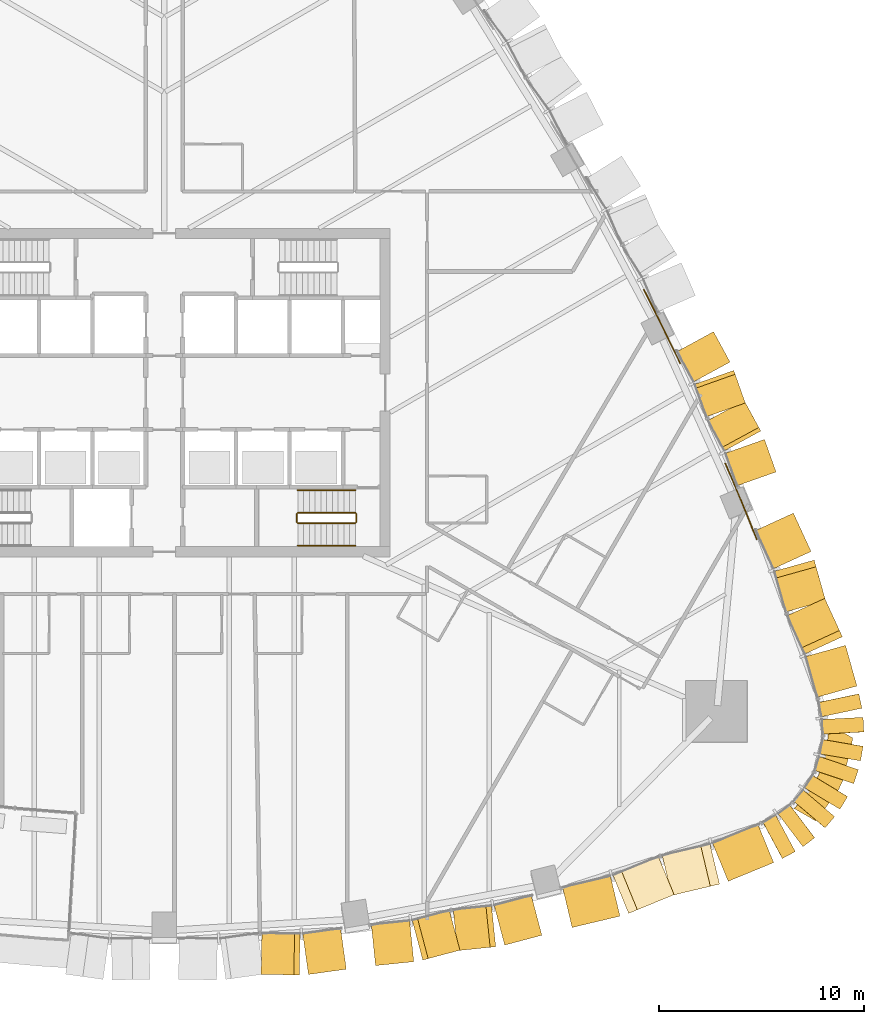
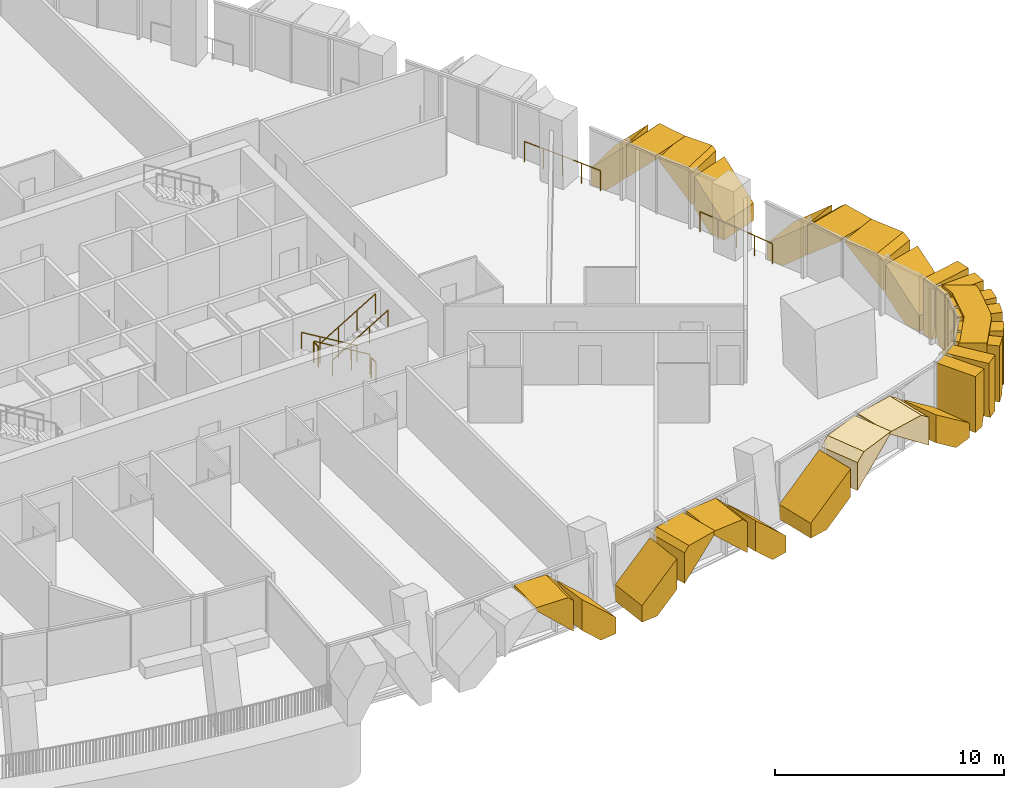
# One storey, part 21 of 24: 27 coverings, 8 railings.
"""IFC4 building model written with IfcOpenShell, lengths in metres."""

from ifc_helpers import new_model, si_unit, direction, frame, origin, origin_2d, place, context, subcontext, project, spatial, polyline, circle, outline, extrude, material, layer, layer_set, type_object, element, save


model = new_model("IFC4")

# Units and contexts
model_context = context("Model", 3, precision=1e-05, world=origin(), true_north=direction((0.0, 1.0)))
body_context = subcontext(model_context, "Body", "Model", "MODEL_VIEW")
ifc_project = project(units=[si_unit("LENGTHUNIT", "METRE"), si_unit("AREAUNIT", "SQUARE_METRE"), si_unit("VOLUMEUNIT", "CUBIC_METRE"), si_unit("PLANEANGLEUNIT", "RADIAN"), si_unit("MASSUNIT", "GRAM", prefix="KILO")], contexts=[model_context])

# Site, building, storey
site_placement = place(None, origin())
site = spatial("IfcSite", under=ifc_project, at=site_placement, CompositionType="ELEMENT")
building_placement = place(site_placement, origin())
building = spatial("IfcBuilding", under=site, at=building_placement, Name="Sierra Prisma Convention Tower", CompositionType="ELEMENT")
storey_placement = place(building_placement, frame((0.0, 0.0, 59.10009765625)))
storey = spatial("IfcBuildingStorey", under=building, at=storey_placement, Name="L10", CompositionType="ELEMENT", Elevation=59.10009765625)

# Coverings
ifc_material_1 = material(Name="Aluminium composite bronze anodised", Category="aluminium")
ifc_layer_1 = layer(ifc_material_1, 1.199951171875)
ifc_layer_set_1 = layer_set([ifc_layer_1], Name="Bronze corner pier")
covering_type_1 = type_object("IfcCoveringType", Name="Bronze corner pier", PredefinedType="CLADDING", material=ifc_layer_set_1)
covering_1_placement = place(storey_placement, frame((0.0, 0.0, -0.60009765625)))
element("IfcCovering", 1, at=covering_1_placement, inside=storey, type_object=covering_type_1, Name="Corner pier SE L10.1", PredefinedType="CLADDING", context=body_context, shape_type="SweptSolid", body=[
    extrude(outline(polyline([(33.015869140625, -18.91748046875), (32.826416015625, -19.3251953125), (31.724853515625, -20.856689453125), (30.647705078125, -20.23486328125), (30.733642578125, -20.1796875), (31.852294921875, -18.62451171875), (32.3203125, -16.7666015625), (32.228759765625, -16.06689453125), (33.4990234375, -16.80029296875), (33.48388671875, -17.059814453125), (33.015869140625, -18.91748046875)])), origin(), (0.0, 0.0, 1.0), 3.699951171875),
])
ifc_material_2 = material(Name="Aluminium 6063-T6 bronze anodised", Category="aluminium")
ifc_layer_2 = layer(ifc_material_2, 2.0)
ifc_layer_set_2 = layer_set([ifc_layer_2], Name="Bronze crystal chevron frame")
covering_type_2 = type_object("IfcCoveringType", Name="Bronze crystal chevron frame", PredefinedType="CLADDING", material=ifc_layer_set_2)
covering_2_placement = place(storey_placement, frame((4.714599609375, -28.314208984375, 2.97998046875), z_axis=(-0.018615403316, -0.999826716009, 6.8663595e-05), x_axis=(-1.278201e-06, -6.8651697e-05, -0.999999997643)))
element("IfcCovering", 2, at=covering_2_placement, inside=storey, type_object=covering_type_2, Name="CW-2 chevron frame S4.2.1", PredefinedType="CLADDING", context=body_context, shape_type="SweptSolid", body=[
    extrude(outline(polyline([(0.0, 0.0), (0.15600585900724043, 0.0), (1.8894042935973934, 1.8614068509224033), (0.24951171933818514, 1.8614068509224033), (-8.467103111326171e-09, 1.5935355536768872), (0.0, 0.0)])), origin(), (0.0, 0.0, -1.0), 2.0),
])
covering_3_placement = place(storey_placement, frame((8.86181640625, -28.0654296875, 0.0), z_axis=(0.13795883311, -0.990437962456, -5.3786876e-05), x_axis=(7.420375e-06, -5.3272564e-05, 0.999999998553)))
element("IfcCovering", 3, at=covering_3_placement, inside=storey, type_object=covering_type_2, Name="CW-2 chevron frame S4.2.2", PredefinedType="CLADDING", context=body_context, shape_type="SweptSolid", body=[
    extrude(outline(polyline([(0.0, 0.0), (0.8757324206082407, -7.417742143069276e-22), (2.6093749990302424, 1.8613109760656104), (0.96948242327737, 1.8613109760656104), (-7.2777737620158975e-09, 0.820325313389576), (0.0, 0.0)])), origin(), (0.0, 0.0, -1.0), 2.0),
])
covering_4_placement = place(storey_placement, frame((10.28369140625, -27.890625, 0.0), z_axis=(0.101779868866, -0.994806945129, 1.4687366e-05), x_axis=(0.994806945237, 0.101779868877, -6.57e-10)))
element("IfcCovering", 4, at=covering_4_placement, inside=storey, type_object=covering_type_2, Name="CW-2 chevron frame S5.1.1", PredefinedType="CLADDING", context=body_context, shape_type="SweptSolid", body=[
    extrude(outline(polyline([(0.0, 0.0), (0.8231184056027954, -2.117582368135751e-22), (1.8732547578046483, 0.9721679700862653), (1.873254756729693, 2.6074218761598877), (-5.739085474195773e-10, 0.8730468749058335), (0.0, 0.0)])), origin(), (0.0, 0.0, -1.0), 2.0),
])
covering_5_placement = place(storey_placement, frame((12.58349609375, -27.620361328125, 2.727783203125), z_axis=(0.256105882646, -0.966648732446, -7.0253947e-05), x_axis=(-1.7992449e-05, 6.7910889e-05, -0.999999997532)))
element("IfcCovering", 5, at=covering_5_placement, inside=storey, type_object=covering_type_2, Name="CW-2 chevron frame S5.1.2", PredefinedType="CLADDING", context=body_context, shape_type="SweptSolid", body=[
    extrude(outline(polyline([(0.0, 0.0), (1.6352539022145065, -5.540455742880179e-21), (-0.09887695412573975, 1.8732621403522665), (-0.2521972662473746, 1.8732621403522665), (-0.25219727507509215, 0.2722259552934718), (0.0, 0.0)])), origin(), (0.0, 0.0, -1.0), 2.0),
])
covering_6_placement = place(storey_placement, frame((14.27197265625, -27.1630859375, 2.97998046875), z_axis=(0.101796767166, -0.994805213776, 6.9556454e-05), x_axis=(7.080622e-06, -6.9195123e-05, -0.999999997581)))
element("IfcCovering", 6, at=covering_6_placement, inside=storey, type_object=covering_type_2, Name="CW-2 chevron frame S5.2.1", PredefinedType="CLADDING", context=body_context, shape_type="SweptSolid", body=[
    extrude(outline(polyline([(0.0, 0.0), (0.1533203121291105, 1.2986735617082534e-22), (1.887451168529317, 1.8732547584159986), (0.2521972662350778, 1.8732547584159986), (-8.653301420970635e-09, 1.6008580727030004), (0.0, 0.0)])), origin(), (0.0, 0.0, -1.0), 2.0),
])
covering_7_placement = place(storey_placement, frame((18.382568359375, -26.4130859375, 0.0), z_axis=(0.256080078996, -0.966655570531, -3.3211999e-05), x_axis=(8.504931e-06, -3.2104564e-05, 0.999999999448)))
element("IfcCovering", 7, at=covering_7_placement, inside=storey, type_object=covering_type_2, Name="CW-2 chevron frame S5.2.2", PredefinedType="CLADDING", context=body_context, shape_type="SweptSolid", body=[
    extrude(outline(polyline([(0.0, 0.0), (0.8730468745184986, 0.0), (2.607421874634296, 1.873262140157801), (0.9721679692861686, 1.873262140157801), (-2.766748291199207e-09, 0.8230780308576683), (0.0, 0.0)])), origin(), (0.0, 0.0, -1.0), 2.0),
])
covering_8_placement = place(storey_placement, frame((19.853759765625, -26.035888671875, 0.0), z_axis=(0.230882619265, -0.972981611388, -4.778907e-06), x_axis=(0.972981611399, 0.230882619268, -5.5e-11)))
element("IfcCovering", 8, at=covering_8_placement, inside=storey, type_object=covering_type_2, Name="CW-2 chevron frame S6.1.1", PredefinedType="CLADDING", context=body_context, shape_type="SweptSolid", body=[
    extrude(outline(polyline([(0.0, 0.0), (0.9537498114028494, 0.0), (2.394027295932912, 1.057617187642628), (2.394027295851713, 2.546630859500625), (-4.298920345357735e-11, 0.7883300781159981), (0.0, 0.0)])), origin(), (0.0, 0.0, -1.0), 2.0),
])
covering_9_placement = place(storey_placement, frame((22.605224609375, -25.34716796875, 2.64208984375), z_axis=(0.380239397749, -0.924888101334, -2.0243504e-05), x_axis=(-7.697378e-06, 1.8722976e-05, -0.999999999795)))
element("IfcCovering", 9, at=covering_9_placement, inside=storey, type_object=covering_type_2, Name="CW-2 chevron frame S6.1.2", PredefinedType="CLADDING", context=body_context, shape_type="SweptSolid", body=[
    extrude(outline(polyline([(0.0, 0.0), (1.4887695309449516, 0.0), (-0.2692871094582906, 2.3936566845010243), (-0.33789062506923373, 2.3936566845010243), (-0.3378906257074444, 0.45981603557091344), (0.0, 0.0)])), origin(), (0.0, 0.0, -1.0), 2.0),
])
covering_10_placement = place(storey_placement, frame((27.0302734375, -23.92236328125, 1.1533203125), z_axis=(0.230879774961, -0.972982286314, -5.753838e-06), x_axis=(1.328445e-06, -5.598382e-06, 0.999999999983)))
element("IfcCovering", 10, at=covering_10_placement, inside=storey, type_object=covering_type_2, Name="CW-2 chevron frame S6.2.1", PredefinedType="CLADDING", context=body_context, shape_type="SweptSolid", body=[
    extrude(outline(polyline([(0.0, 0.0), (1.488769531225356, 0.0), (1.8266601562825084, 0.4599387775763703), (1.826660156230949, 2.3940272959951314), (1.7580566406070848, 2.3940272959951314), (0.0, 0.0)])), origin(), (0.0, 0.0, -1.0), 2.0),
])
covering_11_placement = place(storey_placement, frame((29.666259765625, -22.876220703125, 0.0), z_axis=(0.380238429103, -0.924888499775, 4.096939e-06), x_axis=(-1.557814e-06, 3.789212e-06, 0.999999999992)))
element("IfcCovering", 11, at=covering_11_placement, inside=storey, type_object=covering_type_2, Name="CW-2 chevron frame S6.2.2", PredefinedType="CLADDING", context=body_context, shape_type="SweptSolid", body=[
    extrude(outline(polyline([(0.0, 0.0), (0.7883300781183841, 0.0), (2.54663085937138, 2.3936566845068756), (1.057617187508876, 2.3936566845068756), (-3.822500944575309e-11, 0.9534549141696544), (0.0, 0.0)])), origin(), (0.0, 0.0, -1.0), 2.0),
])
covering_12_placement = place(storey_placement, frame((30.084228515625, -22.678955078125, 0.0), z_axis=(0.472195184804, -0.881494019865, -1.9727734e-05), x_axis=(0.881494020037, 0.472195184896, -3.316e-09)))
element("IfcCovering", 12, at=covering_12_placement, inside=storey, type_object=covering_type_2, Name="CW-2 chevron frame SE1.1.1", PredefinedType="CLADDING", context=body_context, shape_type="SweptSolid", body=[
    extrude(outline(polyline([(0.0, 0.0), (0.555636432606804, 0.0), (0.7187080759959695, 0.7158203150800863), (0.7187080684883904, 2.9799804708894997), (0.0041503738541636545, 2.9799804683330717), (0.0, 0.0)])), origin(), (0.0, 0.0, -1.0), 2.0),
])
covering_13_placement = place(storey_placement, frame((31.091064453125, -22.10009765625, 2.97998046875), z_axis=(0.604388022667, -0.796690101611, 7.231588e-06), x_axis=(4.370685e-06, -5.761335e-06, -0.999999999974)))
element("IfcCovering", 13, at=covering_13_placement, inside=storey, type_object=covering_type_2, Name="CW-2 chevron frame SE1.1.2", PredefinedType="CLADDING", context=body_context, shape_type="SweptSolid", body=[
    extrude(outline(polyline([(0.0, 0.0), (2.264160156190797, 9.589091251020973e-22), (2.9799804691593907, 0.16328334602866926), (2.979980468633631, 0.7186143995797163), (1.5550582276701097e-10, 0.7146102854322463), (0.0, 0.0)])), origin(), (0.0, 0.0, -1.0), 2.0),
])
covering_14_placement = place(storey_placement, frame((32.168212890625, -21.187255859375, 0.0), z_axis=(0.76344901064, -0.645868104071, -1.7192029e-05), x_axis=(0.645868104167, 0.763449010753, -2.768e-09)))
element("IfcCovering", 14, at=covering_14_placement, inside=storey, type_object=covering_type_2, Name="CW-2 chevron frame SE2.1.1", PredefinedType="CLADDING", context=body_context, shape_type="SweptSolid", body=[
    extrude(outline(polyline([(0.0, 0.0), (0.5553933536863461, 0.0), (0.71857060182299, 0.7158203145971958), (0.7185705955552535, 2.979980470512592), (0.004157556761840804, 2.9799804683280606), (0.0, 0.0)])), origin(), (0.0, 0.0, -1.0), 2.0),
])
covering_15_placement = place(storey_placement, frame((32.891357421875, -20.278564453125, 2.97998046875), z_axis=(0.855140697801, -0.518395974968, -1.005845e-05), x_axis=(-8.60139e-06, 5.21426e-06, -0.999999999949)))
element("IfcCovering", 15, at=covering_15_placement, inside=storey, type_object=covering_type_2, Name="CW-2 chevron frame SE2.1.2", PredefinedType="CLADDING", context=body_context, shape_type="SweptSolid", body=[
    extrude(outline(polyline([(0.0, 0.0), (2.264160156135465, 0.0), (2.979980470180258, 0.16320934729369926), (2.97998046825046, 0.7186185044715605), (7.285667116642908e-10, 0.7145566066334821), (0.0, 0.0)])), origin(), (0.0, 0.0, -1.0), 2.0),
])
covering_16_placement = place(storey_placement, frame((33.556884765625, -19.033447265625, 0.0), z_axis=(0.94755493734, -0.319592928514, -2.7695843e-05), x_axis=(0.319592928637, 0.947554937703, 1.823e-09)))
element("IfcCovering", 16, at=covering_16_placement, inside=storey, type_object=covering_type_2, Name="CW-2 chevron frame SE3.1.1", PredefinedType="CLADDING", context=body_context, shape_type="SweptSolid", body=[
    extrude(outline(polyline([(0.0, 0.0), (0.5552551147140962, 8.470329472543003e-22), (0.7186200372180555, 0.71582031297467), (0.718620041345, 2.9799804683562967), (0.004169545611149416, 2.9799804714661065), (0.0, 0.0)])), origin(), (0.0, 0.0, -1.0), 2.0),
])
covering_17_placement = place(storey_placement, frame((33.89501953125, -17.922607421875, 2.97998046875), z_axis=(0.985882222569, -0.167440267495, 6.628676e-06), x_axis=(6.535094e-06, -1.109907e-06, -0.999999999978)))
element("IfcCovering", 17, at=covering_17_placement, inside=storey, type_object=covering_type_2, Name="CW-2 chevron frame SE3.1.2", PredefinedType="CLADDING", context=body_context, shape_type="SweptSolid", body=[
    extrude(outline(polyline([(0.0, 0.0), (2.264160156200257, -4.794545625510487e-22), (2.979980468536021, 0.16343642013417423), (2.9799804688921294, 0.7186470365806789), (-2.4327197153372894e-10, 0.7146732972340128), (0.0, 0.0)])), origin(), (0.0, 0.0, -1.0), 2.0),
])
covering_18_placement = place(storey_placement, frame((34.055908203125, -16.519775390625, 0.0), z_axis=(0.998665768923, 0.051639924431, -1.3646361e-05), x_axis=(-0.051639924435, 0.998665769016, -3.099e-09)))
element("IfcCovering", 18, at=covering_18_placement, inside=storey, type_object=covering_type_2, Name="CW-2 chevron frame SE4.1.1", PredefinedType="CLADDING", context=body_context, shape_type="SweptSolid", body=[
    extrude(outline(polyline([(0.0, 0.0), (0.5554350923553992, 0.0), (0.7184882701576925, 0.7158203145684633), (0.7184882631410523, 2.979980470607644), (0.003913636328675551, 2.979980467910195), (0.0, 0.0)])), origin(), (0.0, 0.0, -1.0), 2.0),
])
covering_19_placement = place(storey_placement, frame((33.961181640625, -15.362548828125, 2.97998046875), z_axis=(0.978347679868, 0.206968152017, 3.6714506e-05), x_axis=(3.5919552e-05, 7.598734e-06, -0.999999999326)))
element("IfcCovering", 19, at=covering_19_placement, inside=storey, type_object=covering_type_2, Name="CW-2 chevron frame SE4.1.2", PredefinedType="CLADDING", context=body_context, shape_type="SweptSolid", body=[
    extrude(outline(polyline([(0.0, 0.0), (2.2641601547240073, 1.9178182502041947e-21), (2.979980471690846, 0.16342268939035734), (2.979980469023137, 0.7186730772904305), (-1.0927103301572454e-09, 0.7146998186613034), (0.0, 0.0)])), origin(), (0.0, 0.0, -1.0), 2.0),
])
covering_20_placement = place(storey_placement, frame((33.7197265625, -14.28173828125, 0.0), z_axis=(0.962824849117, 0.270126462657, -6.399902e-05), x_axis=(-0.270126463211, 0.962824851088, -1.1373e-08)))
element("IfcCovering", 20, at=covering_20_placement, inside=storey, type_object=covering_type_2, Name="CW-2 chevron frame NE1.1.1", PredefinedType="CLADDING", context=body_context, shape_type="SweptSolid", body=[
    extrude(outline(polyline([(0.0, 0.0), (0.8680031729543117, 1.6940658945086007e-21), (2.058185357921092, 1.008300806722436), (2.058185340031571, 2.5812988503760343), (-9.52090144205355e-09, 0.8371582014105524), (0.0, 0.0)])), origin(), (0.0, 0.0, -1.0), 2.0),
])
covering_21_placement = place(storey_placement, frame((33.0107421875, -11.8837890625, 2.69140625), z_axis=(0.908697122955, 0.417456032041, -6.793368e-06), x_axis=(-6.173114e-06, -2.835932e-06, -0.999999999977)))
element("IfcCovering", 21, at=covering_21_placement, inside=storey, type_object=covering_type_2, Name="CW-2 chevron frame NE1.1.2", PredefinedType="CLADDING", context=body_context, shape_type="SweptSolid", body=[
    extrude(outline(polyline([(0.0, 0.0), (1.5729980468387033, -6.661905858348947e-22), (-0.17114257813436856, 2.0580194674758285), (-0.28857421875665884, 2.0580194674758285), (-0.2885742188346719, 0.34040006481050733), (0.0, 0.0)])), origin(), (0.0, 0.0, -1.0), 2.0),
])
covering_22_placement = place(storey_placement, frame((32.194580078125, -10.130126953125, 2.97998046875), z_axis=(0.962829897906, 0.270108458869, 9.0256433e-05), x_axis=(8.6901593e-05, 2.4379026e-05, -0.999999995927)))
element("IfcCovering", 22, at=covering_22_placement, inside=storey, type_object=covering_type_2, Name="CW-2 chevron frame NE1.2.1", PredefinedType="CLADDING", context=body_context, shape_type="SweptSolid", body=[
    extrude(outline(polyline([(0.0, 0.0), (0.11743164014668779, 3.978738746380063e-22), (1.8615722603933982, 2.058185370235186), (0.2885742199253951, 2.058185370235186), (-1.3770618508026342e-08, 1.7176967620558181), (0.0, 0.0)])), origin(), (0.0, 0.0, -1.0), 2.0),
])
covering_23_placement = place(storey_placement, frame((30.62646484375, -5.862060546875, 0.0), z_axis=(0.9086866329, 0.417478862166, 5.3225912e-05), x_axis=(-4.8365674e-05, -2.2220693e-05, 0.999999998584)))
element("IfcCovering", 23, at=covering_23_placement, inside=storey, type_object=covering_type_2, Name="CW-2 chevron frame NE1.2.2", PredefinedType="CLADDING", context=body_context, shape_type="SweptSolid", body=[
    extrude(outline(polyline([(0.0, 0.0), (0.8371582019391665, 0.0), (2.581298827325107, 2.0580194667770058), (1.0083007826782568, 2.0580194667770058), (-6.8279670285899025e-09, 0.8681451724253324), (0.0, 0.0)])), origin(), (0.0, 0.0, -1.0), 2.0),
])
covering_24_placement = place(storey_placement, frame((29.781494140625, -3.8603515625, 0.0), z_axis=(0.942542767222, 0.334085515525, 1.6543882e-05), x_axis=(-0.33408551557, 0.942542767351, -9.26e-10)))
element("IfcCovering", 24, at=covering_24_placement, inside=storey, type_object=covering_type_2, Name="CW-2 chevron frame NE2.1.1", PredefinedType="CLADDING", context=body_context, shape_type="SweptSolid", body=[
    extrude(outline(polyline([(0.0, 0.0), (0.77912690522228, 0.0), (1.6836574736689645, 0.9250488298107999), (1.6836574720792938, 2.6416015639508896), (-8.516981438277762e-10, 0.919677734249142), (0.0, 0.0)])), origin(), (0.0, 0.0, -1.0), 2.0),
])
covering_25_placement = place(storey_placement, frame((29.03857421875, -1.868408203125, 2.774658203125), z_axis=(0.878624119587, 0.477514034037, 6.1466792e-05), x_axis=(5.4006206e-05, 2.9351256e-05, -0.999999998111)))
element("IfcCovering", 25, at=covering_25_placement, inside=storey, type_object=covering_type_2, Name="CW-2 chevron frame NE2.1.2", PredefinedType="CLADDING", context=body_context, shape_type="SweptSolid", body=[
    extrude(outline(polyline([(0.0, 0.0), (1.716552731132289, -5.8159068868603376e-21), (-0.005615235140134068, 1.6836028485563928), (-0.20532226601287087, 1.6836028485563928), (-0.20532227325281938, 0.20069082794703058), (0.0, 0.0)])), origin(), (0.0, 0.0, -1.0), 2.0),
])
covering_26_placement = place(storey_placement, frame((28.28515625, -0.502685546875, 2.97998046875), z_axis=(0.942542619624, 0.33408592481, -7.0968308e-05), x_axis=(-6.6890655e-05, -2.3709513e-05, -0.999999997482)))
element("IfcCovering", 26, at=covering_26_placement, inside=storey, type_object=covering_type_2, Name="CW-2 chevron frame NE2.2.1", PredefinedType="CLADDING", context=body_context, shape_type="SweptSolid", body=[
    extrude(outline(polyline([(0.0, 0.0), (0.1997070307470877, -6.766337410683766e-22), (1.9218749961943435, 1.6836574745321358), (0.2053222661420529, 1.6836574745321358), (-9.651243655783436e-09, 1.4831199698983255), (0.0, 0.0)])), origin(), (0.0, 0.0, -1.0), 2.0),
])
covering_27_placement = place(storey_placement, frame((26.73828125, 2.968505859375, 0.0), z_axis=(0.878619498957, 0.477522539821, 3.974324e-06), x_axis=(-3.491919e-06, -1.897829e-06, 0.999999999992)))
element("IfcCovering", 27, at=covering_27_placement, inside=storey, type_object=covering_type_2, Name="CW-2 chevron frame NE2.2.2", PredefinedType="CLADDING", context=body_context, shape_type="SweptSolid", body=[
    extrude(outline(polyline([(0.0, 0.0), (0.9196777343677368, 0.0), (2.641601562493749, 1.6836028485996812), (0.9250488281323058, 1.6836028485996812), (-4.163992290397339e-11, 0.7791487855925998), (0.0, 0.0)])), origin(), (0.0, 0.0, -1.0), 2.0),
])

# Railings
ifc_material_3 = material(Name="Stainless steel", Category="steel")
railing_type_1 = type_object("IfcRailingType", Name="Exit stair handrail", PredefinedType="HANDRAIL", material=ifc_material_3)
railing_1_placement = place(storey_placement, frame((9.300048828125, -4.75, 0.16796875)))
element("IfcRailing", 28, at=railing_1_placement, inside=storey, type_object=railing_type_1, Name="L10 S2 stair handrail 1", PredefinedType="HANDRAIL", context=body_context, shape_type="SweptSolid", body=[
    extrude(circle(Radius=0.02392578125, at=origin_2d()), frame((0.0, 0.0, 0.8759765625), z_axis=(-0.857242210791, 0.0, 0.514913383045), x_axis=(0.0, -1.0, 0.0)), (0.0, 0.0, 1.0), 3.266357421875),
    extrude(circle(Radius=0.02099609375, at=origin_2d()), origin(), (0.0, 0.0, 1.0), 0.851806640625),
    extrude(circle(Radius=0.02099609375, at=origin_2d()), frame((-0.933349609375, 0.0, 0.560546875)), (0.0, 0.0, 1.0), 0.851806640625),
    extrude(circle(Radius=0.02099609375, at=origin_2d()), frame((-1.86669921875, 0.0, 1.121337890625)), (0.0, 0.0, 1.0), 0.851806640625),
    extrude(circle(Radius=0.02099609375, at=origin_2d()), frame((-2.800048828125, 0.0, 1.681884765625)), (0.0, 0.0, 1.0), 0.851806640625),
])
railing_2_placement = place(storey_placement, frame((6.5, -7.449951171875, 2.01806640625)))
element("IfcRailing", 29, at=railing_2_placement, inside=storey, type_object=railing_type_1, Name="L10 S2 stair handrail 2", PredefinedType="HANDRAIL", context=body_context, shape_type="SweptSolid", body=[
    extrude(circle(Radius=0.02392578125, at=origin_2d()), frame((0.0, 0.0, 0.8759765625), z_axis=(0.857242210791, 0.0, 0.514913383045), x_axis=(0.0, 1.0, 0.0)), (0.0, 0.0, 1.0), 3.266357421875),
    extrude(circle(Radius=0.02099609375, at=origin_2d()), origin(), (0.0, 0.0, 1.0), 0.851806640625),
    extrude(circle(Radius=0.02099609375, at=origin_2d()), frame((0.933349609375, 0.0, 0.560546875)), (0.0, 0.0, 1.0), 0.851806640625),
    extrude(circle(Radius=0.02099609375, at=origin_2d()), frame((1.86669921875, 0.0, 1.121337890625)), (0.0, 0.0, 1.0), 0.851806640625),
    extrude(circle(Radius=0.02099609375, at=origin_2d()), frame((2.800048828125, 0.0, 1.681884765625)), (0.0, 0.0, 1.0), 0.851806640625),
])
ifc_material_4 = material(Name="Bronze anodised aluminium", Category="aluminium")
railing_type_2 = type_object("IfcRailingType", Name="Facade guard 1100", PredefinedType="GUARDRAIL", material=ifc_material_4)
railing_3_placement = place(storey_placement, frame((28.837158203125, -7.131103515625, 0.0)))
element("IfcRailing", 30, at=railing_3_placement, inside=storey, type_object=railing_type_2, Name="Facade guard", PredefinedType="GUARDRAIL", context=body_context, shape_type="SweptSolid", body=[
    extrude(circle(Radius=0.02392578125, at=origin_2d()), frame((0.0, 0.0, 1.076171875), z_axis=(-0.371853689756, 0.928291351578, 0.0), x_axis=(-0.928291351578, -0.371853689756, 0.0)), (0.0, 0.0, 1.0), 1.0),
    extrude(circle(Radius=0.02392578125, at=origin_2d()), frame((-0.371826171875, 0.92822265625, 1.076171875), z_axis=(-0.378575487046, 0.925570419043, 0.0), x_axis=(-0.925570419043, -0.378575487046, 0.0)), (0.0, 0.0, 1.0), 0.994384765625),
    extrude(circle(Radius=0.02392578125, at=origin_2d()), frame((-0.748291015625, 1.8486328125, 1.076171875), z_axis=(-0.384736720179, 0.923026357232, 0.0), x_axis=(-0.923026357232, -0.384736720179, 0.0)), (0.0, 0.0, 1.0), 1.0),
    extrude(circle(Radius=0.02392578125, at=origin_2d()), frame((-1.133056640625, 2.771728515625, 1.076171875), z_axis=(-0.39187361129, 0.920019061093, 0.0), x_axis=(-0.920019061093, -0.39187361129, 0.0)), (0.0, 0.0, 1.0), 0.994384765625),
    extrude(circle(Radius=0.02099609375, at=origin_2d()), origin(), (0.0, 0.0, 1.0), 1.052001953125),
    extrude(circle(Radius=0.02099609375, at=origin_2d()), frame((-0.371826171875, 0.92822265625, 0.0)), (0.0, 0.0, 1.0), 1.052001953125),
    extrude(circle(Radius=0.02099609375, at=origin_2d()), frame((-0.748291015625, 1.8486328125, 0.0)), (0.0, 0.0, 1.0), 1.052001953125),
    extrude(circle(Radius=0.02099609375, at=origin_2d()), frame((-1.133056640625, 2.771728515625, 0.0)), (0.0, 0.0, 1.0), 1.052001953125),
    extrude(circle(Radius=0.02099609375, at=origin_2d()), frame((-1.522705078125, 3.6865234375, 0.0)), (0.0, 0.0, 1.0), 1.052001953125),
])
railing_4_placement = place(storey_placement, frame((25.112060546875, 1.432861328125, 0.0)))
element("IfcRailing", 31, at=railing_4_placement, inside=storey, type_object=railing_type_2, Name="Facade guard", PredefinedType="GUARDRAIL", context=body_context, shape_type="SweptSolid", body=[
    extrude(circle(Radius=0.02392578125, at=origin_2d()), frame((0.0, 0.0, 1.076171875), z_axis=(-0.435522533746, 0.900177828321, 0.0), x_axis=(-0.900177828321, -0.435522533746, 0.0)), (0.0, 0.0, 1.0), 0.997314453125),
    extrude(circle(Radius=0.02392578125, at=origin_2d()), frame((-0.434326171875, 0.897705078125, 1.076171875), z_axis=(-0.435708244697, 0.900087954315, 0.0), x_axis=(-0.900087954315, -0.435708244697, 0.0)), (0.0, 0.0, 1.0), 0.996337890625),
    extrude(circle(Radius=0.02392578125, at=origin_2d()), frame((-0.868408203125, 1.79443359375, 1.076171875), z_axis=(-0.44780045775, 0.894133519134, 0.0), x_axis=(-0.894133519134, -0.44780045775, 0.0)), (0.0, 0.0, 1.0), 0.998291015625),
    extrude(circle(Radius=0.02392578125, at=origin_2d()), frame((-1.3154296875, 2.68701171875, 1.076171875), z_axis=(-0.448586542605, 0.893739399262, 0.0), x_axis=(-0.893739399262, -0.448586542605, 0.0)), (0.0, 0.0, 1.0), 0.995361328125),
    extrude(circle(Radius=0.02099609375, at=origin_2d()), origin(), (0.0, 0.0, 1.0), 1.052001953125),
    extrude(circle(Radius=0.02099609375, at=origin_2d()), frame((-0.434326171875, 0.897705078125, 0.0)), (0.0, 0.0, 1.0), 1.052001953125),
    extrude(circle(Radius=0.02099609375, at=origin_2d()), frame((-0.868408203125, 1.79443359375, 0.0)), (0.0, 0.0, 1.0), 1.052001953125),
    extrude(circle(Radius=0.02099609375, at=origin_2d()), frame((-1.3154296875, 2.68701171875, 0.0)), (0.0, 0.0, 1.0), 1.052001953125),
    extrude(circle(Radius=0.02099609375, at=origin_2d()), frame((-1.761962890625, 3.57666015625, 0.0)), (0.0, 0.0, 1.0), 1.052001953125),
])
ifc_material_5 = material(Name="Stainless steel", Category="steel")
railing_type_3 = type_object("IfcRailingType", Name="Stair guard 1100", PredefinedType="GUARDRAIL", material=ifc_material_5)
railing_5_placement = place(storey_placement, frame((9.300048828125, -5.85009765625, 0.16796875)))
element("IfcRailing", 32, at=railing_5_placement, inside=storey, type_object=railing_type_3, Name="L10 S2 stair guard 1", PredefinedType="GUARDRAIL", context=body_context, shape_type="SweptSolid", body=[
    extrude(circle(Radius=0.02392578125, at=origin_2d()), frame((0.0, 0.0, 1.076171875), z_axis=(-0.857242210791, 0.0, 0.514913383045), x_axis=(0.0, -1.0, 0.0)), (0.0, 0.0, 1.0), 3.266357421875),
    extrude(circle(Radius=0.02099609375, at=origin_2d()), origin(), (0.0, 0.0, 1.0), 1.052001953125),
    extrude(circle(Radius=0.02099609375, at=origin_2d()), frame((-0.933349609375, 0.0, 0.560546875)), (0.0, 0.0, 1.0), 1.052001953125),
    extrude(circle(Radius=0.02099609375, at=origin_2d()), frame((-1.86669921875, 0.0, 1.121337890625)), (0.0, 0.0, 1.0), 1.052001953125),
    extrude(circle(Radius=0.02099609375, at=origin_2d()), frame((-2.800048828125, 0.0, 1.681884765625)), (0.0, 0.0, 1.0), 1.052001953125),
])
railing_6_placement = place(storey_placement, frame((6.449951171875, -5.89990234375, 1.849853515625)))
element("IfcRailing", 33, at=railing_6_placement, inside=storey, type_object=railing_type_3, Name="L10 S2 stair guard 2", PredefinedType="GUARDRAIL", context=body_context, shape_type="SweptSolid", body=[
    extrude(circle(Radius=0.02392578125, at=origin_2d()), frame((0.0, 0.0, 1.076171875), z_axis=(0.0, -1.0, 0.0), x_axis=(1.0, 0.0, 0.0)), (0.0, 0.0, 1.0), 0.400146484375),
    extrude(circle(Radius=0.02099609375, at=origin_2d()), origin(), (0.0, 0.0, 1.0), 1.052001953125),
    extrude(circle(Radius=0.02099609375, at=origin_2d()), frame((0.0, -0.400146484375, 0.0)), (0.0, 0.0, 1.0), 1.052001953125),
])
railing_7_placement = place(storey_placement, frame((6.5, -6.35009765625, 2.01806640625)))
element("IfcRailing", 34, at=railing_7_placement, inside=storey, type_object=railing_type_3, Name="L10 S2 stair guard 3", PredefinedType="GUARDRAIL", context=body_context, shape_type="SweptSolid", body=[
    extrude(circle(Radius=0.02392578125, at=origin_2d()), frame((0.0, 0.0, 1.076171875), z_axis=(0.857242210791, 0.0, 0.514913383045), x_axis=(0.0, 1.0, 0.0)), (0.0, 0.0, 1.0), 3.266357421875),
    extrude(circle(Radius=0.02099609375, at=origin_2d()), origin(), (0.0, 0.0, 1.0), 1.052001953125),
    extrude(circle(Radius=0.02099609375, at=origin_2d()), frame((0.933349609375, 0.0, 0.560546875)), (0.0, 0.0, 1.0), 1.052001953125),
    extrude(circle(Radius=0.02099609375, at=origin_2d()), frame((1.86669921875, 0.0, 1.121337890625)), (0.0, 0.0, 1.0), 1.052001953125),
    extrude(circle(Radius=0.02099609375, at=origin_2d()), frame((2.800048828125, 0.0, 1.681884765625)), (0.0, 0.0, 1.0), 1.052001953125),
])
railing_8_placement = place(storey_placement, frame((9.35009765625, -5.89990234375, 0.0)))
element("IfcRailing", 35, at=railing_8_placement, inside=storey, type_object=railing_type_3, Name="L10 S2 stair guard 4", PredefinedType="GUARDRAIL", context=body_context, shape_type="SweptSolid", body=[
    extrude(circle(Radius=0.02392578125, at=origin_2d()), frame((0.0, 0.0, 1.076171875), z_axis=(0.0, -1.0, 0.0), x_axis=(1.0, 0.0, 0.0)), (0.0, 0.0, 1.0), 0.400146484375),
    extrude(circle(Radius=0.02099609375, at=origin_2d()), origin(), (0.0, 0.0, 1.0), 1.052001953125),
    extrude(circle(Radius=0.02099609375, at=origin_2d()), frame((0.0, -0.400146484375, 0.0)), (0.0, 0.0, 1.0), 1.052001953125),
])

save(model, "model.ifc")
